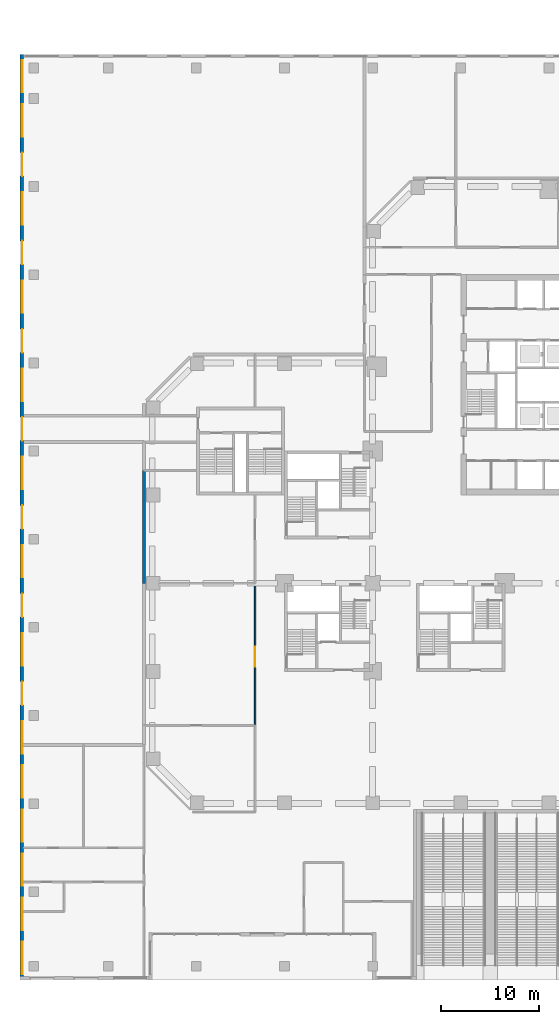
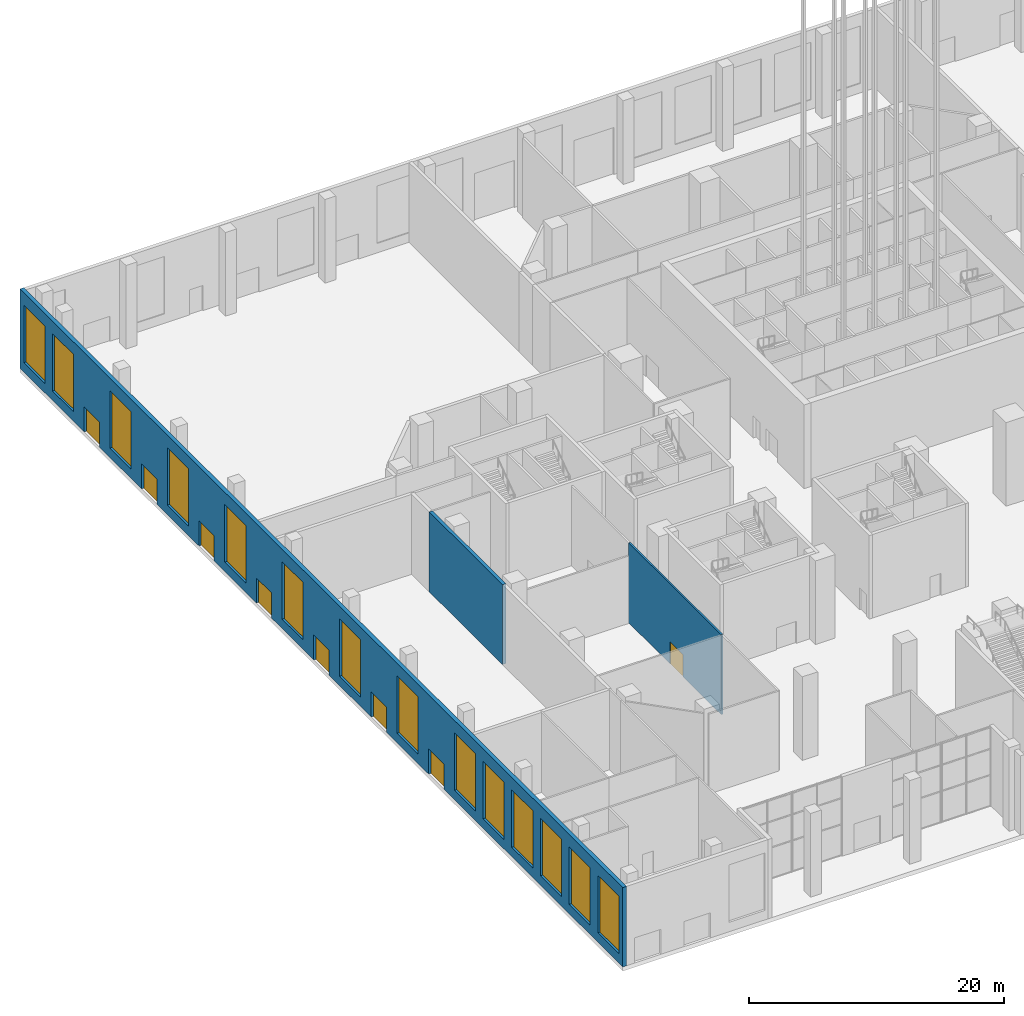
# One storey, part 9 of 32: 14 windows, 8 doors, 3 walls, 22 openings.
"""IFC4 building model written with IfcOpenShell, lengths in metres."""

from ifc_helpers import new_model, si_unit, direction, frame, frame_2d, origin, place, context, subcontext, project, spatial, rectangle, extrude, material, layer, layer_set, constituent, constituent_set, type_object, element, fill, save


model = new_model("IFC4")

# Units and contexts
model_context = context("Model", 3, precision=1e-05, world=origin(), true_north=direction((0.0, 1.0)))
body_context = subcontext(model_context, "Body", "Model", "MODEL_VIEW")
ifc_project = project(units=[si_unit("LENGTHUNIT", "METRE"), si_unit("AREAUNIT", "SQUARE_METRE"), si_unit("VOLUMEUNIT", "CUBIC_METRE"), si_unit("PLANEANGLEUNIT", "RADIAN"), si_unit("MASSUNIT", "GRAM", prefix="KILO")], contexts=[model_context])

# Site, building, storey
site_placement = place(None, origin())
site = spatial("IfcSite", under=ifc_project, at=site_placement, CompositionType="ELEMENT")
building_placement = place(site_placement, origin())
building = spatial("IfcBuilding", under=site, at=building_placement, Name="Quoin Convention Tower", CompositionType="ELEMENT")
storey_placement = place(building_placement, origin())
storey = spatial("IfcBuildingStorey", under=building, at=storey_placement, Name="L00", CompositionType="ELEMENT", Elevation=0.0)

# Wall
ifc_material_1 = material(Name="Plasterboard")
ifc_layer_1 = layer(ifc_material_1, 0.012451171875, Name="Finish")
ifc_material_2 = material(Name="Steel stud framing", Category="steel")
ifc_layer_2 = layer(ifc_material_2, 0.27490234375, Name="Structure")
ifc_layer_3 = layer(ifc_material_1, 0.012451171875, Name="Finish")
ifc_layer_set_1 = layer_set([ifc_layer_1, ifc_layer_2, ifc_layer_3], Name="Steel stud framing")
wall_type_1 = type_object("IfcWallType", Name="Acoustic wall 300", PredefinedType="PARTITIONING", material=ifc_layer_set_1)
wall_1_placement = place(storey_placement, frame((12.64990234375, 40.5, 0.0), z_axis=(0.0, 0.0, 1.0), x_axis=(0.0, 1.0, 0.0)))
element("IfcWall", 1, at=wall_1_placement, inside=storey, type_object=wall_type_1, Name="pw-L00-052", PredefinedType="PARTITIONING", context=body_context, shape_type="SweptSolid", body=[
    extrude(rectangle(XDim=11.5, YDim=0.300048828125, at=frame_2d((5.75, 0.0))), origin(), (0.0, 0.0, 1.0), 7.64990234375),
])

# Wall, openings, doors, windows
ifc_material_3 = material(Name="Brick masonry", Category="masonry")
ifc_layer_4 = layer(ifc_material_3, 0.35009765625)
ifc_layer_set_2 = layer_set([ifc_layer_4], Name="Brick masonry")
wall_type_2 = type_object("IfcWallType", Name="Brick facade wall", PredefinedType="STANDARD", material=ifc_layer_set_2)
wall_2_placement = place(storey_placement, frame((0.175048828125, 94.5, 0.0), z_axis=(0.0, 0.0, 1.0), x_axis=(0.0, -1.0, 0.0)))
wall_2 = element("IfcWall", 2, at=wall_2_placement, inside=storey, type_object=wall_type_2, Name="fw-L00-0_94500", PredefinedType="STANDARD", context=body_context, shape_type="SweptSolid", body=[
    extrude(rectangle(XDim=94.5, YDim=0.35009765625, at=frame_2d((47.25, 0.0))), origin(), (0.0, 0.0, 1.0), 7.590087890625),
])
opening_1_placement = place(wall_2_placement, frame((0.60009765625, 0.0, 0.89990234375)))
opening_1 = element("IfcOpeningElement", 3, at=opening_1_placement, cuts=wall_2, Name="Opening W-06", PredefinedType="OPENING", context=body_context, shape_type="SweptSolid", body=[
    extrude(rectangle(XDim=3.300048828125, YDim=5.5, at=frame_2d((1.64990234375, 2.75))), frame((0.0, 0.18505859375, 0.0), z_axis=(0.0, -1.0, 0.0), x_axis=(1.0, 0.0, 0.0)), (0.0, 0.0, 1.0), 0.3701171875),
])
opening_2_placement = place(wall_2_placement, frame((5.10009765625, 0.0, 0.89990234375)))
opening_2 = element("IfcOpeningElement", 4, at=opening_2_placement, cuts=wall_2, Name="Opening W-06", PredefinedType="OPENING", context=body_context, shape_type="SweptSolid", body=[
    extrude(rectangle(XDim=3.300048828125, YDim=5.5, at=frame_2d((1.64990234375, 2.75))), frame((0.0, 0.18505859375, 0.0), z_axis=(0.0, -1.0, 0.0), x_axis=(1.0, 0.0, 0.0)), (0.0, 0.0, 1.0), 0.3701171875),
])
opening_3_placement = place(wall_2_placement, frame((10.050048828125, 0.0, 0.0)))
opening_3 = element("IfcOpeningElement", 5, at=opening_3_placement, cuts=wall_2, Name="Opening D-T5", PredefinedType="OPENING", context=body_context, shape_type="SweptSolid", body=[
    extrude(rectangle(XDim=2.39990234375, YDim=2.39990234375, at=frame_2d((1.199951171875, 1.199951171875))), frame((0.0, 0.18505859375, 0.0), z_axis=(0.0, -1.0, 0.0), x_axis=(1.0, 0.0, 0.0)), (0.0, 0.0, 1.0), 0.3701171875),
])
opening_4_placement = place(wall_2_placement, frame((14.10009765625, 0.0, 0.89990234375)))
opening_4 = element("IfcOpeningElement", 6, at=opening_4_placement, cuts=wall_2, Name="Opening W-06", PredefinedType="OPENING", context=body_context, shape_type="SweptSolid", body=[
    extrude(rectangle(XDim=3.300048828125, YDim=5.5, at=frame_2d((1.64990234375, 2.75))), frame((0.0, 0.18505859375, 0.0), z_axis=(0.0, -1.0, 0.0), x_axis=(1.0, 0.0, 0.0)), (0.0, 0.0, 1.0), 0.3701171875),
])
opening_5_placement = place(wall_2_placement, frame((19.050048828125, 0.0, 0.0)))
opening_5 = element("IfcOpeningElement", 7, at=opening_5_placement, cuts=wall_2, Name="Opening D-T5", PredefinedType="OPENING", context=body_context, shape_type="SweptSolid", body=[
    extrude(rectangle(XDim=2.39990234375, YDim=2.39990234375, at=frame_2d((1.199951171875, 1.199951171875))), frame((0.0, 0.18505859375, 0.0), z_axis=(0.0, -1.0, 0.0), x_axis=(1.0, 0.0, 0.0)), (0.0, 0.0, 1.0), 0.3701171875),
])
opening_6_placement = place(wall_2_placement, frame((23.10009765625, 0.0, 0.89990234375)))
opening_6 = element("IfcOpeningElement", 8, at=opening_6_placement, cuts=wall_2, Name="Opening W-06", PredefinedType="OPENING", context=body_context, shape_type="SweptSolid", body=[
    extrude(rectangle(XDim=3.300048828125, YDim=5.5, at=frame_2d((1.64990234375, 2.75))), frame((0.0, 0.18505859375, 0.0), z_axis=(0.0, -1.0, 0.0), x_axis=(1.0, 0.0, 0.0)), (0.0, 0.0, 1.0), 0.3701171875),
])
opening_7_placement = place(wall_2_placement, frame((28.050048828125, 0.0, 0.0)))
opening_7 = element("IfcOpeningElement", 9, at=opening_7_placement, cuts=wall_2, Name="Opening D-T5", PredefinedType="OPENING", context=body_context, shape_type="SweptSolid", body=[
    extrude(rectangle(XDim=2.39990234375, YDim=2.39990234375, at=frame_2d((1.199951171875, 1.199951171875))), frame((0.0, 0.18505859375, 0.0), z_axis=(0.0, -1.0, 0.0), x_axis=(1.0, 0.0, 0.0)), (0.0, 0.0, 1.0), 0.3701171875),
])
opening_8_placement = place(wall_2_placement, frame((32.10009765625, 0.0, 0.89990234375)))
opening_8 = element("IfcOpeningElement", 10, at=opening_8_placement, cuts=wall_2, Name="Opening W-06", PredefinedType="OPENING", context=body_context, shape_type="SweptSolid", body=[
    extrude(rectangle(XDim=3.300048828125, YDim=5.5, at=frame_2d((1.64990234375, 2.75))), frame((0.0, 0.18505859375, 0.0), z_axis=(0.0, -1.0, 0.0), x_axis=(1.0, 0.0, 0.0)), (0.0, 0.0, 1.0), 0.3701171875),
])
opening_9_placement = place(wall_2_placement, frame((37.050048828125, 0.0, 0.0)))
opening_9 = element("IfcOpeningElement", 11, at=opening_9_placement, cuts=wall_2, Name="Opening D-T5", PredefinedType="OPENING", context=body_context, shape_type="SweptSolid", body=[
    extrude(rectangle(XDim=2.39990234375, YDim=2.39990234375, at=frame_2d((1.199951171875, 1.199951171875))), frame((0.0, 0.18505859375, 0.0), z_axis=(0.0, -1.0, 0.0), x_axis=(1.0, 0.0, 0.0)), (0.0, 0.0, 1.0), 0.3701171875),
])
opening_10_placement = place(wall_2_placement, frame((41.10009765625, 0.0, 0.89990234375)))
opening_10 = element("IfcOpeningElement", 12, at=opening_10_placement, cuts=wall_2, Name="Opening W-06", PredefinedType="OPENING", context=body_context, shape_type="SweptSolid", body=[
    extrude(rectangle(XDim=3.300048828125, YDim=5.5, at=frame_2d((1.64990234375, 2.75))), frame((0.0, 0.18505859375, 0.0), z_axis=(0.0, -1.0, 0.0), x_axis=(1.0, 0.0, 0.0)), (0.0, 0.0, 1.0), 0.3701171875),
])
opening_11_placement = place(wall_2_placement, frame((46.050048828125, 0.0, 0.0)))
opening_11 = element("IfcOpeningElement", 13, at=opening_11_placement, cuts=wall_2, Name="Opening D-T5", PredefinedType="OPENING", context=body_context, shape_type="SweptSolid", body=[
    extrude(rectangle(XDim=2.39990234375, YDim=2.39990234375, at=frame_2d((1.199951171875, 1.199951171875))), frame((0.0, 0.18505859375, 0.0), z_axis=(0.0, -1.0, 0.0), x_axis=(1.0, 0.0, 0.0)), (0.0, 0.0, 1.0), 0.3701171875),
])
opening_12_placement = place(wall_2_placement, frame((50.10009765625, 0.0, 0.89990234375)))
opening_12 = element("IfcOpeningElement", 14, at=opening_12_placement, cuts=wall_2, Name="Opening W-06", PredefinedType="OPENING", context=body_context, shape_type="SweptSolid", body=[
    extrude(rectangle(XDim=3.300048828125, YDim=5.5, at=frame_2d((1.64990234375, 2.75))), frame((0.0, 0.18505859375, 0.0), z_axis=(0.0, -1.0, 0.0), x_axis=(1.0, 0.0, 0.0)), (0.0, 0.0, 1.0), 0.3701171875),
])
opening_13_placement = place(wall_2_placement, frame((55.050048828125, 0.0, 0.0)))
opening_13 = element("IfcOpeningElement", 15, at=opening_13_placement, cuts=wall_2, Name="Opening D-T5", PredefinedType="OPENING", context=body_context, shape_type="SweptSolid", body=[
    extrude(rectangle(XDim=2.39990234375, YDim=2.39990234375, at=frame_2d((1.199951171875, 1.199951171875))), frame((0.0, 0.18505859375, 0.0), z_axis=(0.0, -1.0, 0.0), x_axis=(1.0, 0.0, 0.0)), (0.0, 0.0, 1.0), 0.3701171875),
])
opening_14_placement = place(wall_2_placement, frame((59.10009765625, 0.0, 0.89990234375)))
opening_14 = element("IfcOpeningElement", 16, at=opening_14_placement, cuts=wall_2, Name="Opening W-06", PredefinedType="OPENING", context=body_context, shape_type="SweptSolid", body=[
    extrude(rectangle(XDim=3.300048828125, YDim=5.5, at=frame_2d((1.64990234375, 2.75))), frame((0.0, 0.18505859375, 0.0), z_axis=(0.0, -1.0, 0.0), x_axis=(1.0, 0.0, 0.0)), (0.0, 0.0, 1.0), 0.3701171875),
])
opening_15_placement = place(wall_2_placement, frame((64.050048828125, 0.0, 0.0)))
opening_15 = element("IfcOpeningElement", 17, at=opening_15_placement, cuts=wall_2, Name="Opening D-T5", PredefinedType="OPENING", context=body_context, shape_type="SweptSolid", body=[
    extrude(rectangle(XDim=2.39990234375, YDim=2.39990234375, at=frame_2d((1.199951171875, 1.199951171875))), frame((0.0, 0.18505859375, 0.0), z_axis=(0.0, -1.0, 0.0), x_axis=(1.0, 0.0, 0.0)), (0.0, 0.0, 1.0), 0.3701171875),
])
opening_16_placement = place(wall_2_placement, frame((68.10009765625, 0.0, 0.89990234375)))
opening_16 = element("IfcOpeningElement", 18, at=opening_16_placement, cuts=wall_2, Name="Opening W-06", PredefinedType="OPENING", context=body_context, shape_type="SweptSolid", body=[
    extrude(rectangle(XDim=3.300048828125, YDim=5.5, at=frame_2d((1.64990234375, 2.75))), frame((0.0, 0.18505859375, 0.0), z_axis=(0.0, -1.0, 0.0), x_axis=(1.0, 0.0, 0.0)), (0.0, 0.0, 1.0), 0.3701171875),
])
opening_17_placement = place(wall_2_placement, frame((72.60009765625, 0.0, 0.89990234375)))
opening_17 = element("IfcOpeningElement", 19, at=opening_17_placement, cuts=wall_2, Name="Opening W-06", PredefinedType="OPENING", context=body_context, shape_type="SweptSolid", body=[
    extrude(rectangle(XDim=3.300048828125, YDim=5.5, at=frame_2d((1.64990234375, 2.75))), frame((0.0, 0.18505859375, 0.0), z_axis=(0.0, -1.0, 0.0), x_axis=(1.0, 0.0, 0.0)), (0.0, 0.0, 1.0), 0.3701171875),
])
opening_18_placement = place(wall_2_placement, frame((77.10009765625, 0.0, 0.89990234375)))
opening_18 = element("IfcOpeningElement", 20, at=opening_18_placement, cuts=wall_2, Name="Opening W-06", PredefinedType="OPENING", context=body_context, shape_type="SweptSolid", body=[
    extrude(rectangle(XDim=3.300048828125, YDim=5.5, at=frame_2d((1.64990234375, 2.75))), frame((0.0, 0.18505859375, 0.0), z_axis=(0.0, -1.0, 0.0), x_axis=(1.0, 0.0, 0.0)), (0.0, 0.0, 1.0), 0.3701171875),
])
opening_19_placement = place(wall_2_placement, frame((81.60009765625, 0.0, 0.89990234375)))
opening_19 = element("IfcOpeningElement", 21, at=opening_19_placement, cuts=wall_2, Name="Opening W-06", PredefinedType="OPENING", context=body_context, shape_type="SweptSolid", body=[
    extrude(rectangle(XDim=3.300048828125, YDim=5.5, at=frame_2d((1.64990234375, 2.75))), frame((0.0, 0.18505859375, 0.0), z_axis=(0.0, -1.0, 0.0), x_axis=(1.0, 0.0, 0.0)), (0.0, 0.0, 1.0), 0.3701171875),
])
opening_20_placement = place(wall_2_placement, frame((86.10009765625, 0.0, 0.89990234375)))
opening_20 = element("IfcOpeningElement", 22, at=opening_20_placement, cuts=wall_2, Name="Opening W-06", PredefinedType="OPENING", context=body_context, shape_type="SweptSolid", body=[
    extrude(rectangle(XDim=3.300048828125, YDim=5.5, at=frame_2d((1.64990234375, 2.75))), frame((0.0, 0.18505859375, 0.0), z_axis=(0.0, -1.0, 0.0), x_axis=(1.0, 0.0, 0.0)), (0.0, 0.0, 1.0), 0.3701171875),
])
opening_21_placement = place(wall_2_placement, frame((90.60009765625, 0.0, 0.89990234375)))
opening_21 = element("IfcOpeningElement", 23, at=opening_21_placement, cuts=wall_2, Name="Opening W-06", PredefinedType="OPENING", context=body_context, shape_type="SweptSolid", body=[
    extrude(rectangle(XDim=3.300048828125, YDim=5.5, at=frame_2d((1.64990234375, 2.75))), frame((0.0, 0.18505859375, 0.0), z_axis=(0.0, -1.0, 0.0), x_axis=(1.0, 0.0, 0.0)), (0.0, 0.0, 1.0), 0.3701171875),
])
ifc_material_4 = material(Name="Galvanised steel", Category="steel")
door_type_1 = type_object("IfcDoorType", Name="Exit door", OperationType="DOUBLE_DOOR_SINGLE_SWING", PredefinedType="DOOR", material=ifc_material_4)
door_1_placement = place(opening_3_placement, frame((2.39990234375, 0.0, 0.0), z_axis=(0.0, 0.0, 1.0), x_axis=(-1.0, 0.0, 0.0)))
door_1 = element("IfcDoor", 24, at=door_1_placement, inside=storey, type_object=door_type_1, Name="dr-L00-175_83250", OperationType="DOUBLE_DOOR_SINGLE_SWING", OverallHeight=2.39990234375, OverallWidth=2.39990234375, PredefinedType="DOOR", context=body_context, shape_type="SweptSolid", body=[
    extrude(rectangle(XDim=2.39990234375, YDim=2.39990234375, at=frame_2d((1.199951171875, 1.199951171875))), frame((0.0, -0.02978515625, 0.0), z_axis=(0.0, -1.0, 0.0), x_axis=(1.0, 0.0, 0.0)), (0.0, 0.0, 1.0), 0.050048828125),
])
fill(opening_3, door_1)
door_2_placement = place(opening_5_placement, frame((2.39990234375, 0.0, 0.0), z_axis=(0.0, 0.0, 1.0), x_axis=(-1.0, 0.0, 0.0)))
door_2 = element("IfcDoor", 25, at=door_2_placement, inside=storey, type_object=door_type_1, Name="dr-L00-175_74250", OperationType="DOUBLE_DOOR_SINGLE_SWING", OverallHeight=2.39990234375, OverallWidth=2.39990234375, PredefinedType="DOOR", context=body_context, shape_type="SweptSolid", body=[
    extrude(rectangle(XDim=2.39990234375, YDim=2.39990234375, at=frame_2d((1.199951171875, 1.199951171875))), frame((0.0, -0.02978515625, 0.0), z_axis=(0.0, -1.0, 0.0), x_axis=(1.0, 0.0, 0.0)), (0.0, 0.0, 1.0), 0.050048828125),
])
fill(opening_5, door_2)
door_3_placement = place(opening_7_placement, frame((2.39990234375, 0.0, 0.0), z_axis=(0.0, 0.0, 1.0), x_axis=(-1.0, 0.0, 0.0)))
door_3 = element("IfcDoor", 26, at=door_3_placement, inside=storey, type_object=door_type_1, Name="dr-L00-175_65250", OperationType="DOUBLE_DOOR_SINGLE_SWING", OverallHeight=2.39990234375, OverallWidth=2.39990234375, PredefinedType="DOOR", context=body_context, shape_type="SweptSolid", body=[
    extrude(rectangle(XDim=2.39990234375, YDim=2.39990234375, at=frame_2d((1.199951171875, 1.199951171875))), frame((0.0, -0.02978515625, 0.0), z_axis=(0.0, -1.0, 0.0), x_axis=(1.0, 0.0, 0.0)), (0.0, 0.0, 1.0), 0.050048828125),
])
fill(opening_7, door_3)
door_4_placement = place(opening_9_placement, frame((2.39990234375, 0.0, 0.0), z_axis=(0.0, 0.0, 1.0), x_axis=(-1.0, 0.0, 0.0)))
door_4 = element("IfcDoor", 27, at=door_4_placement, inside=storey, type_object=door_type_1, Name="dr-L00-175_56250", OperationType="DOUBLE_DOOR_SINGLE_SWING", OverallHeight=2.39990234375, OverallWidth=2.39990234375, PredefinedType="DOOR", context=body_context, shape_type="SweptSolid", body=[
    extrude(rectangle(XDim=2.39990234375, YDim=2.39990234375, at=frame_2d((1.199951171875, 1.199951171875))), frame((0.0, -0.02978515625, 0.0), z_axis=(0.0, -1.0, 0.0), x_axis=(1.0, 0.0, 0.0)), (0.0, 0.0, 1.0), 0.050048828125),
])
fill(opening_9, door_4)
door_5_placement = place(opening_11_placement, frame((2.39990234375, 0.0, 0.0), z_axis=(0.0, 0.0, 1.0), x_axis=(-1.0, 0.0, 0.0)))
door_5 = element("IfcDoor", 28, at=door_5_placement, inside=storey, type_object=door_type_1, Name="dr-L00-175_47250", OperationType="DOUBLE_DOOR_SINGLE_SWING", OverallHeight=2.39990234375, OverallWidth=2.39990234375, PredefinedType="DOOR", context=body_context, shape_type="SweptSolid", body=[
    extrude(rectangle(XDim=2.39990234375, YDim=2.39990234375, at=frame_2d((1.199951171875, 1.199951171875))), frame((0.0, -0.02978515625, 0.0), z_axis=(0.0, -1.0, 0.0), x_axis=(1.0, 0.0, 0.0)), (0.0, 0.0, 1.0), 0.050048828125),
])
fill(opening_11, door_5)
door_6_placement = place(opening_13_placement, frame((2.39990234375, 0.0, 0.0), z_axis=(0.0, 0.0, 1.0), x_axis=(-1.0, 0.0, 0.0)))
door_6 = element("IfcDoor", 29, at=door_6_placement, inside=storey, type_object=door_type_1, Name="dr-L00-175_38250", OperationType="DOUBLE_DOOR_SINGLE_SWING", OverallHeight=2.39990234375, OverallWidth=2.39990234375, PredefinedType="DOOR", context=body_context, shape_type="SweptSolid", body=[
    extrude(rectangle(XDim=2.39990234375, YDim=2.39990234375, at=frame_2d((1.199951171875, 1.199951171875))), frame((0.0, -0.02978515625, 0.0), z_axis=(0.0, -1.0, 0.0), x_axis=(1.0, 0.0, 0.0)), (0.0, 0.0, 1.0), 0.050048828125),
])
fill(opening_13, door_6)
door_7_placement = place(opening_15_placement, frame((2.39990234375, 0.0, 0.0), z_axis=(0.0, 0.0, 1.0), x_axis=(-1.0, 0.0, 0.0)))
door_7 = element("IfcDoor", 30, at=door_7_placement, inside=storey, type_object=door_type_1, Name="dr-L00-175_29250", OperationType="DOUBLE_DOOR_SINGLE_SWING", OverallHeight=2.39990234375, OverallWidth=2.39990234375, PredefinedType="DOOR", context=body_context, shape_type="SweptSolid", body=[
    extrude(rectangle(XDim=2.39990234375, YDim=2.39990234375, at=frame_2d((1.199951171875, 1.199951171875))), frame((0.0, -0.02978515625, 0.0), z_axis=(0.0, -1.0, 0.0), x_axis=(1.0, 0.0, 0.0)), (0.0, 0.0, 1.0), 0.050048828125),
])
fill(opening_15, door_7)
ifc_material_5 = material(Name="Aluminium", Category="aluminium")
ifc_constituent_1 = constituent(ifc_material_5, Name="Frame")
ifc_material_6 = material(Name="Insulated glass", Category="glass")
ifc_constituent_2 = constituent(ifc_material_6, Name="Glazing")
ifc_constituent_set = constituent_set(constituents=[ifc_constituent_1, ifc_constituent_2], Name="Aluminium")
window_type = type_object("IfcWindowType", Name="Podium street window", PartitioningType="TRIPLE_PANEL_VERTICAL", PredefinedType="WINDOW", material=ifc_constituent_set)
window_1_placement = place(opening_1_placement, origin())
window_1 = element("IfcWindow", 31, at=window_1_placement, inside=storey, type_object=window_type, Name="win-L00-175_92250", OverallHeight=5.5, OverallWidth=3.300048828125, PartitioningType="SINGLE_PANEL", PredefinedType="WINDOW", context=body_context, shape_type="SweptSolid", body=[
    extrude(rectangle(XDim=3.300048828125, YDim=5.5, at=frame_2d((1.64990234375, 2.75))), frame((0.0, 0.0849609375, 0.0), z_axis=(0.0, -1.0, 0.0), x_axis=(1.0, 0.0, 0.0)), (0.0, 0.0, 1.0), 0.06005859375),
])
fill(opening_1, window_1)
window_2_placement = place(opening_2_placement, origin())
window_2 = element("IfcWindow", 32, at=window_2_placement, inside=storey, type_object=window_type, Name="win-L00-175_87750", OverallHeight=5.5, OverallWidth=3.300048828125, PartitioningType="SINGLE_PANEL", PredefinedType="WINDOW", context=body_context, shape_type="SweptSolid", body=[
    extrude(rectangle(XDim=3.300048828125, YDim=5.5, at=frame_2d((1.64990234375, 2.75))), frame((0.0, 0.0849609375, 0.0), z_axis=(0.0, -1.0, 0.0), x_axis=(1.0, 0.0, 0.0)), (0.0, 0.0, 1.0), 0.06005859375),
])
fill(opening_2, window_2)
window_3_placement = place(opening_4_placement, origin())
window_3 = element("IfcWindow", 33, at=window_3_placement, inside=storey, type_object=window_type, Name="win-L00-175_78750", OverallHeight=5.5, OverallWidth=3.300048828125, PartitioningType="SINGLE_PANEL", PredefinedType="WINDOW", context=body_context, shape_type="SweptSolid", body=[
    extrude(rectangle(XDim=3.300048828125, YDim=5.5, at=frame_2d((1.64990234375, 2.75))), frame((0.0, 0.0849609375, 0.0), z_axis=(0.0, -1.0, 0.0), x_axis=(1.0, 0.0, 0.0)), (0.0, 0.0, 1.0), 0.06005859375),
])
fill(opening_4, window_3)
window_4_placement = place(opening_6_placement, origin())
window_4 = element("IfcWindow", 34, at=window_4_placement, inside=storey, type_object=window_type, Name="win-L00-175_69750", OverallHeight=5.5, OverallWidth=3.300048828125, PartitioningType="SINGLE_PANEL", PredefinedType="WINDOW", context=body_context, shape_type="SweptSolid", body=[
    extrude(rectangle(XDim=3.300048828125, YDim=5.5, at=frame_2d((1.64990234375, 2.75))), frame((0.0, 0.0849609375, 0.0), z_axis=(0.0, -1.0, 0.0), x_axis=(1.0, 0.0, 0.0)), (0.0, 0.0, 1.0), 0.06005859375),
])
fill(opening_6, window_4)
window_5_placement = place(opening_8_placement, origin())
window_5 = element("IfcWindow", 35, at=window_5_placement, inside=storey, type_object=window_type, Name="win-L00-175_60750", OverallHeight=5.5, OverallWidth=3.300048828125, PartitioningType="SINGLE_PANEL", PredefinedType="WINDOW", context=body_context, shape_type="SweptSolid", body=[
    extrude(rectangle(XDim=3.300048828125, YDim=5.5, at=frame_2d((1.64990234375, 2.75))), frame((0.0, 0.0849609375, 0.0), z_axis=(0.0, -1.0, 0.0), x_axis=(1.0, 0.0, 0.0)), (0.0, 0.0, 1.0), 0.06005859375),
])
fill(opening_8, window_5)
window_6_placement = place(opening_10_placement, origin())
window_6 = element("IfcWindow", 36, at=window_6_placement, inside=storey, type_object=window_type, Name="win-L00-175_51750", OverallHeight=5.5, OverallWidth=3.300048828125, PartitioningType="SINGLE_PANEL", PredefinedType="WINDOW", context=body_context, shape_type="SweptSolid", body=[
    extrude(rectangle(XDim=3.300048828125, YDim=5.5, at=frame_2d((1.64990234375, 2.75))), frame((0.0, 0.0849609375, 0.0), z_axis=(0.0, -1.0, 0.0), x_axis=(1.0, 0.0, 0.0)), (0.0, 0.0, 1.0), 0.06005859375),
])
fill(opening_10, window_6)
window_7_placement = place(opening_12_placement, origin())
window_7 = element("IfcWindow", 37, at=window_7_placement, inside=storey, type_object=window_type, Name="win-L00-175_42750", OverallHeight=5.5, OverallWidth=3.300048828125, PartitioningType="SINGLE_PANEL", PredefinedType="WINDOW", context=body_context, shape_type="SweptSolid", body=[
    extrude(rectangle(XDim=3.300048828125, YDim=5.5, at=frame_2d((1.64990234375, 2.75))), frame((0.0, 0.0849609375, 0.0), z_axis=(0.0, -1.0, 0.0), x_axis=(1.0, 0.0, 0.0)), (0.0, 0.0, 1.0), 0.06005859375),
])
fill(opening_12, window_7)
window_8_placement = place(opening_14_placement, origin())
window_8 = element("IfcWindow", 38, at=window_8_placement, inside=storey, type_object=window_type, Name="win-L00-175_33750", OverallHeight=5.5, OverallWidth=3.300048828125, PartitioningType="SINGLE_PANEL", PredefinedType="WINDOW", context=body_context, shape_type="SweptSolid", body=[
    extrude(rectangle(XDim=3.300048828125, YDim=5.5, at=frame_2d((1.64990234375, 2.75))), frame((0.0, 0.0849609375, 0.0), z_axis=(0.0, -1.0, 0.0), x_axis=(1.0, 0.0, 0.0)), (0.0, 0.0, 1.0), 0.06005859375),
])
fill(opening_14, window_8)
window_9_placement = place(opening_16_placement, origin())
window_9 = element("IfcWindow", 39, at=window_9_placement, inside=storey, type_object=window_type, Name="win-L00-175_24750", OverallHeight=5.5, OverallWidth=3.300048828125, PartitioningType="SINGLE_PANEL", PredefinedType="WINDOW", context=body_context, shape_type="SweptSolid", body=[
    extrude(rectangle(XDim=3.300048828125, YDim=5.5, at=frame_2d((1.64990234375, 2.75))), frame((0.0, 0.0849609375, 0.0), z_axis=(0.0, -1.0, 0.0), x_axis=(1.0, 0.0, 0.0)), (0.0, 0.0, 1.0), 0.06005859375),
])
fill(opening_16, window_9)
window_10_placement = place(opening_17_placement, origin())
window_10 = element("IfcWindow", 40, at=window_10_placement, inside=storey, type_object=window_type, Name="win-L00-175_20250", OverallHeight=5.5, OverallWidth=3.300048828125, PartitioningType="SINGLE_PANEL", PredefinedType="WINDOW", context=body_context, shape_type="SweptSolid", body=[
    extrude(rectangle(XDim=3.300048828125, YDim=5.5, at=frame_2d((1.64990234375, 2.75))), frame((0.0, 0.0849609375, 0.0), z_axis=(0.0, -1.0, 0.0), x_axis=(1.0, 0.0, 0.0)), (0.0, 0.0, 1.0), 0.06005859375),
])
fill(opening_17, window_10)
window_11_placement = place(opening_18_placement, origin())
window_11 = element("IfcWindow", 41, at=window_11_placement, inside=storey, type_object=window_type, Name="win-L00-175_15750", OverallHeight=5.5, OverallWidth=3.300048828125, PartitioningType="SINGLE_PANEL", PredefinedType="WINDOW", context=body_context, shape_type="SweptSolid", body=[
    extrude(rectangle(XDim=3.300048828125, YDim=5.5, at=frame_2d((1.64990234375, 2.75))), frame((0.0, 0.0849609375, 0.0), z_axis=(0.0, -1.0, 0.0), x_axis=(1.0, 0.0, 0.0)), (0.0, 0.0, 1.0), 0.06005859375),
])
fill(opening_18, window_11)
window_12_placement = place(opening_19_placement, origin())
window_12 = element("IfcWindow", 42, at=window_12_placement, inside=storey, type_object=window_type, Name="win-L00-175_11250", OverallHeight=5.5, OverallWidth=3.300048828125, PartitioningType="SINGLE_PANEL", PredefinedType="WINDOW", context=body_context, shape_type="SweptSolid", body=[
    extrude(rectangle(XDim=3.300048828125, YDim=5.5, at=frame_2d((1.64990234375, 2.75))), frame((0.0, 0.0849609375, 0.0), z_axis=(0.0, -1.0, 0.0), x_axis=(1.0, 0.0, 0.0)), (0.0, 0.0, 1.0), 0.06005859375),
])
fill(opening_19, window_12)
window_13_placement = place(opening_20_placement, origin())
window_13 = element("IfcWindow", 43, at=window_13_placement, inside=storey, type_object=window_type, Name="win-L00-175_6750", OverallHeight=5.5, OverallWidth=3.300048828125, PartitioningType="SINGLE_PANEL", PredefinedType="WINDOW", context=body_context, shape_type="SweptSolid", body=[
    extrude(rectangle(XDim=3.300048828125, YDim=5.5, at=frame_2d((1.64990234375, 2.75))), frame((0.0, 0.0849609375, 0.0), z_axis=(0.0, -1.0, 0.0), x_axis=(1.0, 0.0, 0.0)), (0.0, 0.0, 1.0), 0.06005859375),
])
fill(opening_20, window_13)
window_14_placement = place(opening_21_placement, origin())
window_14 = element("IfcWindow", 44, at=window_14_placement, inside=storey, type_object=window_type, Name="win-L00-175_2250", OverallHeight=5.5, OverallWidth=3.300048828125, PartitioningType="SINGLE_PANEL", PredefinedType="WINDOW", context=body_context, shape_type="SweptSolid", body=[
    extrude(rectangle(XDim=3.300048828125, YDim=5.5, at=frame_2d((1.64990234375, 2.75))), frame((0.0, 0.0849609375, 0.0), z_axis=(0.0, -1.0, 0.0), x_axis=(1.0, 0.0, 0.0)), (0.0, 0.0, 1.0), 0.06005859375),
])
fill(opening_21, window_14)

# Wall, opening, door
ifc_layer_5 = layer(ifc_material_1, 0.012451171875, Name="Finish")
ifc_layer_6 = layer(ifc_material_2, 0.125, Name="Structure")
ifc_layer_7 = layer(ifc_material_1, 0.012451171875, Name="Finish")
ifc_layer_set_3 = layer_set([ifc_layer_5, ifc_layer_6, ifc_layer_7], Name="Steel stud framing")
wall_type_3 = type_object("IfcWallType", Name="Partition wall 150", PredefinedType="PARTITIONING", material=ifc_layer_set_3)
wall_3_placement = place(storey_placement, frame((24.0, 26.0, 0.0), z_axis=(0.0, 0.0, 1.0), x_axis=(0.0, 1.0, 0.0)))
wall_3 = element("IfcWall", 45, at=wall_3_placement, inside=storey, type_object=wall_type_3, Name="pw-L00-050", PredefinedType="PARTITIONING", context=body_context, shape_type="SweptSolid", body=[
    extrude(rectangle(XDim=14.5, YDim=0.14990234375, at=frame_2d((7.25, 0.0))), origin(), (0.0, 0.0, 1.0), 7.64990234375),
])
opening_22_placement = place(wall_3_placement, frame((6.0, 0.0, 0.0)))
opening_22 = element("IfcOpeningElement", 46, at=opening_22_placement, cuts=wall_3, Name="Opening DPD0-20", PredefinedType="OPENING", context=body_context, shape_type="SweptSolid", body=[
    extrude(rectangle(XDim=2.0, YDim=2.10009765625, at=frame_2d((1.0, 1.050048828125))), frame((0.0, 0.0849609375, 0.0), z_axis=(0.0, -1.0, 0.0), x_axis=(1.0, 0.0, 0.0)), (0.0, 0.0, 1.0), 0.169921875),
])
ifc_material_7 = material(Name="Steel door leaf", Category="steel")
door_type_2 = type_object("IfcDoorType", Name="Double leaf door 2000", OperationType="DOUBLE_DOOR_SINGLE_SWING", PredefinedType="DOOR", material=ifc_material_7)
door_8_placement = place(opening_22_placement, origin())
door_8 = element("IfcDoor", 47, at=door_8_placement, inside=storey, type_object=door_type_2, Name="dr-L00-041", OperationType="DOUBLE_DOOR_SINGLE_SWING", OverallHeight=2.10009765625, OverallWidth=2.0, PredefinedType="DOOR", context=body_context, shape_type="SweptSolid", body=[
    extrude(rectangle(XDim=2.0, YDim=2.10009765625, at=frame_2d((1.0, 1.050048828125))), frame((0.0, 0.02490234375, 0.0), z_axis=(0.0, -1.0, 0.0), x_axis=(1.0, 0.0, 0.0)), (0.0, 0.0, 1.0), 0.050048828125),
])
fill(opening_22, door_8)

save(model, "model.ifc")
